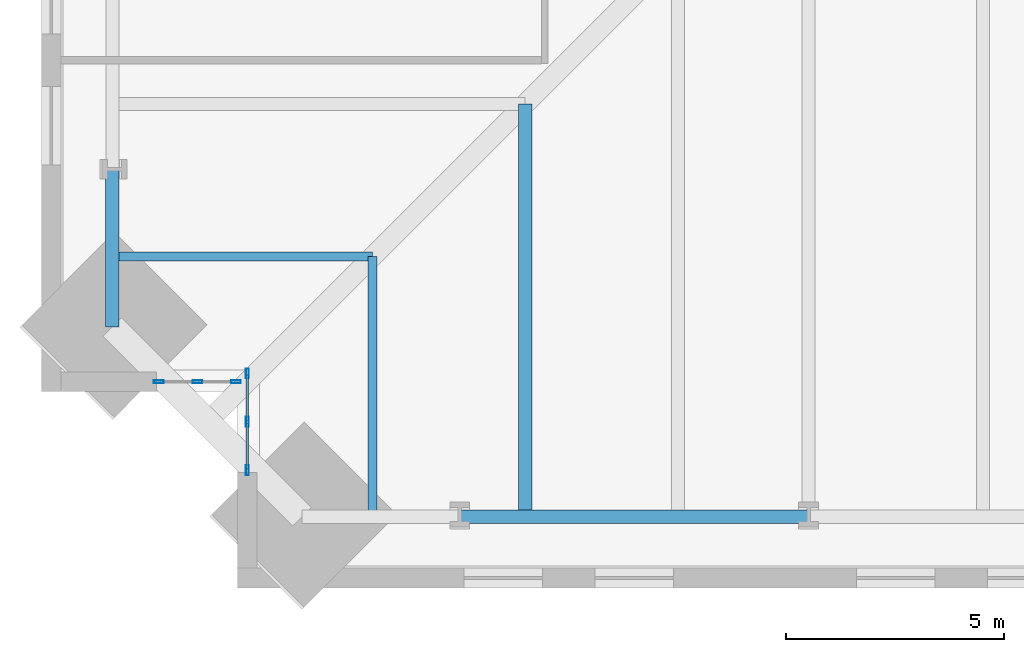
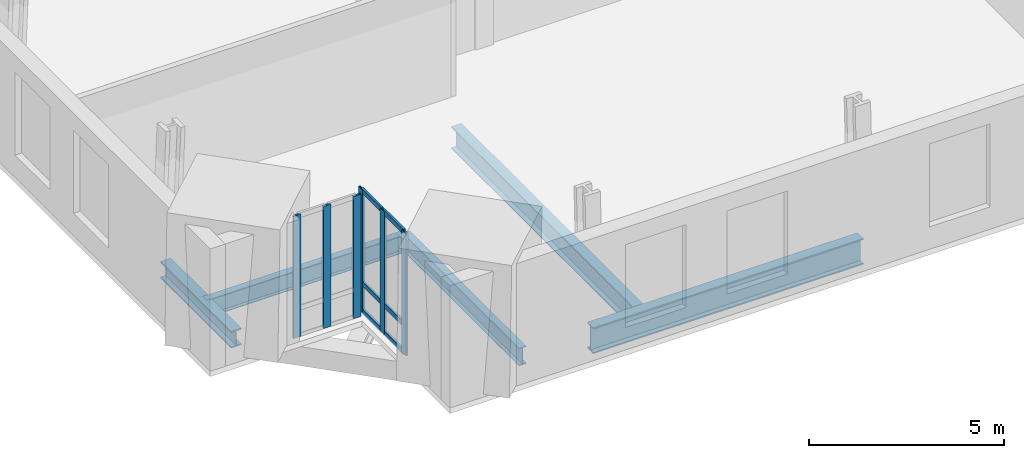
# One storey, part 2 of 18: 12 members, 5 beams, 2 elements without a shape of their own.
"""IFC4 building model written with IfcOpenShell, lengths in metres."""

from ifc_helpers import new_model, si_unit, direction, frame, origin, origin_2d, place, context, subcontext, project, spatial, hollow_rectangle, i_section, extrude, material, material_profile, profile_set, type_object, element, aggregate, save


model = new_model("IFC4")

# Units and contexts
model_context = context("Model", 3, precision=1e-05, world=origin(), true_north=direction((0.0, 1.0)))
body_context = subcontext(model_context, "Body", "Model", "MODEL_VIEW")
ifc_project = project(units=[si_unit("LENGTHUNIT", "METRE"), si_unit("AREAUNIT", "SQUARE_METRE"), si_unit("VOLUMEUNIT", "CUBIC_METRE"), si_unit("PLANEANGLEUNIT", "RADIAN"), si_unit("MASSUNIT", "GRAM", prefix="KILO")], contexts=[model_context])

# Site, building, storey
site_placement = place(None, origin())
site = spatial("IfcSite", under=ifc_project, at=site_placement, CompositionType="ELEMENT")
building_placement = place(site_placement, origin())
building = spatial("IfcBuilding", under=site, at=building_placement, Name="Peilmerk Tower", CompositionType="ELEMENT")
storey_placement = place(building_placement, frame((0.0, 0.0, 171.800048828125)))
storey = spatial("IfcBuildingStorey", under=building, at=storey_placement, Name="L36", CompositionType="ELEMENT", Elevation=171.800048828125)

# Beams
ifc_material_1 = material(Name="Steel S355", Category="steel")
ifc_material_profile_1 = material_profile(ifc_material_1, i_section(OverallWidth=0.2099609375, OverallDepth=0.550048828125, WebThickness=0.010986328125, FlangeThickness=0.01708984375, at=origin_2d()), Name="IPE 550")
ifc_profile_set_1 = profile_set([ifc_material_profile_1], Name="Steel S355")
beam_type_1 = type_object("IfcBeamType", Name="B12 IPE 550 floor beam", PredefinedType="BEAM", material=ifc_profile_set_1)
for number, where, z_axis, x_axis, name in (
    (1, (-18.0, -18.0, -0.445068359375), (0.0, -1.0, 0.0), (1.0, 0.0, 0.0), "Floor beam L36"),
    (2, (-18.0, -18.0, -0.445068359375), (-1.0, 0.0, 0.0), (0.0, -1.0, 0.0), "Floor beam L36"),
):
    element("IfcBeam", number, at=place(storey_placement, frame(where, z_axis=z_axis, x_axis=x_axis)), inside=storey, type_object=beam_type_1, Name=name, PredefinedType="BEAM", context=body_context, shape_type="SweptSolid", body=[
        extrude(i_section(OverallWidth=0.2099609375, OverallDepth=0.550048828125, WebThickness=0.010986328125, FlangeThickness=0.01708984375, at=origin_2d()), origin(), (0.0, 0.0, 1.0), 5.96923828125),
    ])
ifc_material_profile_2 = material_profile(ifc_material_1, i_section(OverallWidth=0.302978515625, OverallDepth=0.81396484375, WebThickness=0.02099609375, FlangeThickness=0.0400390625, at=origin_2d()), Name="HEM 800")
ifc_profile_set_2 = profile_set([ifc_material_profile_2], Name="Steel S355")
beam_type_2 = type_object("IfcBeamType", Name="B15 HEM 800 edge beam", PredefinedType="SPANDREL", material=ifc_profile_set_2)
beam_1_placement = place(storey_placement, frame((-16.0, -23.96923828125, -0.5771484375), z_axis=(1.0, 0.0, 0.0), x_axis=(0.0, 1.0, 0.0)))
element("IfcBeam", 3, at=beam_1_placement, inside=storey, type_object=beam_type_2, Name="Edge beam L36", PredefinedType="SPANDREL", context=body_context, shape_type="SweptSolid", body=[
    extrude(i_section(OverallWidth=0.302978515625, OverallDepth=0.81396484375, WebThickness=0.02099609375, FlangeThickness=0.0400390625, at=origin_2d()), origin(), (0.0, 0.0, 1.0), 8.0),
])
ifc_material_profile_3 = material_profile(ifc_material_1, i_section(OverallWidth=0.300048828125, OverallDepth=0.68994140625, WebThickness=0.014404296875, FlangeThickness=0.027099609375, at=origin_2d()), Name="HEA 700")
ifc_profile_set_3 = profile_set([ifc_material_profile_3], Name="Steel S355")
beam_type_3 = type_object("IfcBeamType", Name="B16 HEA 700 floor beam", PredefinedType="BEAM", material=ifc_profile_set_3)
beam_2_placement = place(storey_placement, frame((-14.5, -14.5, -0.51513671875), z_axis=(0.0, -1.0, 0.0), x_axis=(1.0, 0.0, 0.0)))
element("IfcBeam", 4, at=beam_2_placement, inside=storey, type_object=beam_type_3, Name="Floor beam L36", PredefinedType="BEAM", context=body_context, shape_type="SweptSolid", body=[
    extrude(i_section(OverallWidth=0.300048828125, OverallDepth=0.68994140625, WebThickness=0.014404296875, FlangeThickness=0.027099609375, at=origin_2d()), origin(), (0.0, 0.0, 1.0), 9.46923828125),
])
ifc_material_profile_4 = material_profile(ifc_material_1, i_section(OverallWidth=0.305908203125, OverallDepth=0.52392578125, WebThickness=0.02099609375, FlangeThickness=0.0400390625, at=origin_2d()), Name="HEM 500")
ifc_profile_set_4 = profile_set([ifc_material_profile_4], Name="Steel S355")
beam_type_4 = type_object("IfcBeamType", Name="B33 HEM 500 edge beam", PredefinedType="SPANDREL", material=ifc_profile_set_4)
beam_3_placement = place(storey_placement, frame((-23.96923828125, -16.0, -0.43212890625), z_axis=(0.0, -1.0, 0.0), x_axis=(1.0, 0.0, 0.0)))
element("IfcBeam", 5, at=beam_3_placement, inside=storey, type_object=beam_type_4, Name="Edge beam L36", PredefinedType="SPANDREL", context=body_context, shape_type="SweptSolid", body=[
    extrude(i_section(OverallWidth=0.305908203125, OverallDepth=0.52392578125, WebThickness=0.02099609375, FlangeThickness=0.0400390625, at=origin_2d()), origin(), (0.0, 0.0, 1.0), 3.619384765625),
])

# Curtain wall, members
ifc_material_2 = material(Name="Aluminium stick curtain wall", Category="aluminium")
curtain_wall_type = type_object("IfcCurtainWallType", Name="CW3 stick curtain wall, 2250 module", PredefinedType="NOTDEFINED", material=ifc_material_2)
curtain_wall_1_placement = place(storey_placement, origin())
curtain_wall_1 = element("IfcCurtainWall", 6, at=curtain_wall_1_placement, inside=storey, type_object=curtain_wall_type, Name="Curtain wall CW3 SWA L36", PredefinedType="NOTDEFINED")
ifc_material_3 = material(Name="Aluminium EN AW-6063 T6", Category="aluminium")
ifc_material_profile_5 = material_profile(ifc_material_3, hollow_rectangle(XDim=0.06494140625, YDim=0.22509765625, WallThickness=0.00390625, at=origin_2d()), Name="AL 225x65x4")
ifc_profile_set_5 = profile_set([ifc_material_profile_5], Name="Aluminium EN AW-6063 T6")
member_type_1 = type_object("IfcMemberType", Name="CW3-M AL 225x65x4 mullion", PredefinedType="MULLION", material=ifc_profile_set_5)
member_1_placement = place(storey_placement, frame((-20.875, -20.6826171875, 0.0), z_axis=(0.0, 0.0, 1.0), x_axis=(1.0, 0.0, 0.0)))
member_1 = element("IfcMember", 7, at=member_1_placement, type_object=member_type_1, Name="CW3 mullion 1", PredefinedType="MULLION", context=body_context, shape_type="SweptSolid", body=[
    extrude(hollow_rectangle(XDim=0.06494140625, YDim=0.22509765625, WallThickness=0.00390625, at=origin_2d()), origin(), (0.0, 0.0, 1.0), 3.829833984375),
])
member_2_placement = place(storey_placement, frame((-20.875, -21.79443359375, 0.0), z_axis=(0.0, 0.0, 1.0), x_axis=(1.0, 0.0, 0.0)))
member_2 = element("IfcMember", 8, at=member_2_placement, type_object=member_type_1, Name="CW3 mullion 2", PredefinedType="MULLION", context=body_context, shape_type="SweptSolid", body=[
    extrude(hollow_rectangle(XDim=0.06494140625, YDim=0.22509765625, WallThickness=0.00390625, at=origin_2d()), origin(), (0.0, 0.0, 1.0), 3.829833984375),
])
member_3_placement = place(storey_placement, frame((-20.875, -22.90625, 0.0), z_axis=(0.0, 0.0, 1.0), x_axis=(1.0, 0.0, 0.0)))
member_3 = element("IfcMember", 9, at=member_3_placement, type_object=member_type_1, Name="CW3 mullion 3", PredefinedType="MULLION", context=body_context, shape_type="SweptSolid", body=[
    extrude(hollow_rectangle(XDim=0.06494140625, YDim=0.22509765625, WallThickness=0.00390625, at=origin_2d()), origin(), (0.0, 0.0, 1.0), 3.829833984375),
])

curtain_wall_2_placement = place(storey_placement, origin())
curtain_wall_2 = element("IfcCurtainWall", 10, at=curtain_wall_2_placement, inside=storey, type_object=curtain_wall_type, Name="Curtain wall CW3 SWB L36", PredefinedType="NOTDEFINED")
member_4_placement = place(storey_placement, frame((-21.132568359375, -20.875, 0.0), z_axis=(0.0, 0.0, 1.0), x_axis=(0.0, -1.0, 0.0)))
member_4 = element("IfcMember", 11, at=member_4_placement, type_object=member_type_1, Name="CW3 mullion 1", PredefinedType="MULLION", context=body_context, shape_type="SweptSolid", body=[
    extrude(hollow_rectangle(XDim=0.06494140625, YDim=0.22509765625, WallThickness=0.00390625, at=origin_2d()), origin(), (0.0, 0.0, 1.0), 3.829833984375),
])
member_5_placement = place(storey_placement, frame((-22.019287109375, -20.875, 0.0), z_axis=(0.0, 0.0, 1.0), x_axis=(0.0, -1.0, 0.0)))
member_5 = element("IfcMember", 12, at=member_5_placement, type_object=member_type_1, Name="CW3 mullion 2", PredefinedType="MULLION", context=body_context, shape_type="SweptSolid", body=[
    extrude(hollow_rectangle(XDim=0.06494140625, YDim=0.22509765625, WallThickness=0.00390625, at=origin_2d()), origin(), (0.0, 0.0, 1.0), 3.829833984375),
])
member_6_placement = place(storey_placement, frame((-22.90625, -20.875, 0.0), z_axis=(0.0, 0.0, 1.0), x_axis=(0.0, -1.0, 0.0)))
member_6 = element("IfcMember", 13, at=member_6_placement, type_object=member_type_1, Name="CW3 mullion 3", PredefinedType="MULLION", context=body_context, shape_type="SweptSolid", body=[
    extrude(hollow_rectangle(XDim=0.06494140625, YDim=0.22509765625, WallThickness=0.00390625, at=origin_2d()), origin(), (0.0, 0.0, 1.0), 3.829833984375),
])
aggregate(curtain_wall_2, [member_4, member_5, member_6])

# Member
ifc_material_profile_6 = material_profile(ifc_material_3, hollow_rectangle(XDim=0.06494140625, YDim=0.14990234375, WallThickness=0.0029296875, at=origin_2d()), Name="AL 150x65x3")
ifc_profile_set_6 = profile_set([ifc_material_profile_6], Name="Aluminium EN AW-6063 T6")
member_type_2 = type_object("IfcMemberType", Name="CW3-T AL 150x65x3 transom", PredefinedType="USERDEFINED", material=ifc_profile_set_6)
member_7_placement = place(storey_placement, frame((-20.875, -20.715087890625, 0.032470703125), z_axis=(0.0, -1.0, 0.0), x_axis=(1.0, 0.0, 0.0)))
member_7 = element("IfcMember", 14, at=member_7_placement, type_object=member_type_2, Name="CW3 transom 1.1", ObjectType="TRANSOM", PredefinedType="USERDEFINED", context=body_context, shape_type="SweptSolid", body=[
    extrude(hollow_rectangle(XDim=0.06494140625, YDim=0.14990234375, WallThickness=0.0029296875, at=origin_2d()), origin(), (0.0, 0.0, 1.0), 1.046630859375),
])

member_8_placement = place(storey_placement, frame((-20.875, -20.715087890625, 0.89990234375), z_axis=(0.0, -1.0, 0.0), x_axis=(1.0, 0.0, 0.0)))
member_8 = element("IfcMember", 15, at=member_8_placement, type_object=member_type_2, Name="CW3 transom 1.2", ObjectType="TRANSOM", PredefinedType="USERDEFINED", context=body_context, shape_type="SweptSolid", body=[
    extrude(hollow_rectangle(XDim=0.06494140625, YDim=0.14990234375, WallThickness=0.0029296875, at=origin_2d()), origin(), (0.0, 0.0, 1.0), 1.046630859375),
])

member_9_placement = place(storey_placement, frame((-20.875, -20.715087890625, 3.79736328125), z_axis=(0.0, -1.0, 0.0), x_axis=(1.0, 0.0, 0.0)))
member_9 = element("IfcMember", 16, at=member_9_placement, type_object=member_type_2, Name="CW3 transom 1.3", ObjectType="TRANSOM", PredefinedType="USERDEFINED", context=body_context, shape_type="SweptSolid", body=[
    extrude(hollow_rectangle(XDim=0.06494140625, YDim=0.14990234375, WallThickness=0.0029296875, at=origin_2d()), origin(), (0.0, 0.0, 1.0), 1.046630859375),
])

member_10_placement = place(storey_placement, frame((-20.875, -21.826904296875, 0.032470703125), z_axis=(0.0, -1.0, 0.0), x_axis=(1.0, 0.0, 0.0)))
member_10 = element("IfcMember", 17, at=member_10_placement, type_object=member_type_2, Name="CW3 transom 2.1", ObjectType="TRANSOM", PredefinedType="USERDEFINED", context=body_context, shape_type="SweptSolid", body=[
    extrude(hollow_rectangle(XDim=0.06494140625, YDim=0.14990234375, WallThickness=0.0029296875, at=origin_2d()), origin(), (0.0, 0.0, 1.0), 1.046875),
])

member_11_placement = place(storey_placement, frame((-20.875, -21.826904296875, 0.89990234375), z_axis=(0.0, -1.0, 0.0), x_axis=(1.0, 0.0, 0.0)))
member_11 = element("IfcMember", 18, at=member_11_placement, type_object=member_type_2, Name="CW3 transom 2.2", ObjectType="TRANSOM", PredefinedType="USERDEFINED", context=body_context, shape_type="SweptSolid", body=[
    extrude(hollow_rectangle(XDim=0.06494140625, YDim=0.14990234375, WallThickness=0.0029296875, at=origin_2d()), origin(), (0.0, 0.0, 1.0), 1.046875),
])

member_12_placement = place(storey_placement, frame((-20.875, -21.826904296875, 3.79736328125), z_axis=(0.0, -1.0, 0.0), x_axis=(1.0, 0.0, 0.0)))
member_12 = element("IfcMember", 19, at=member_12_placement, type_object=member_type_2, Name="CW3 transom 2.3", ObjectType="TRANSOM", PredefinedType="USERDEFINED", context=body_context, shape_type="SweptSolid", body=[
    extrude(hollow_rectangle(XDim=0.06494140625, YDim=0.14990234375, WallThickness=0.0029296875, at=origin_2d()), origin(), (0.0, 0.0, 1.0), 1.046875),
])

aggregate(curtain_wall_1, [member_1, member_2, member_3, member_7, member_8, member_9, member_10, member_11, member_12])

save(model, "model.ifc")
